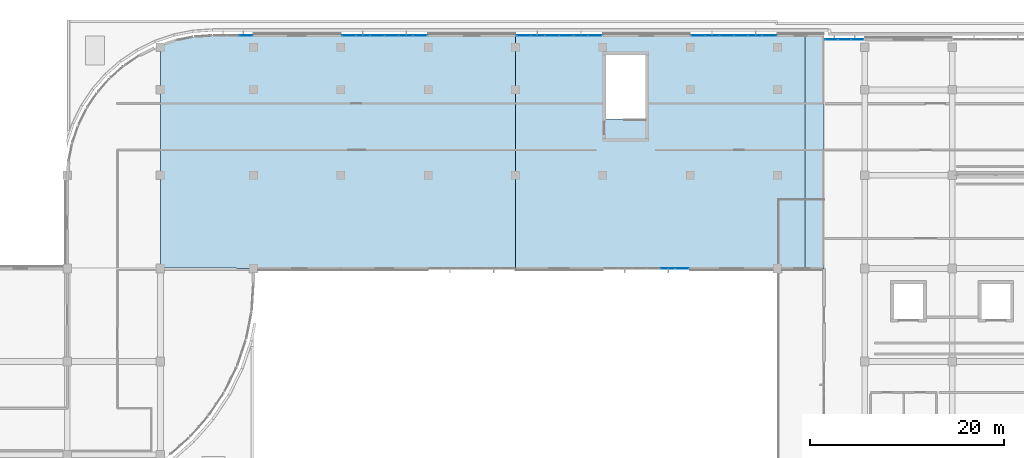
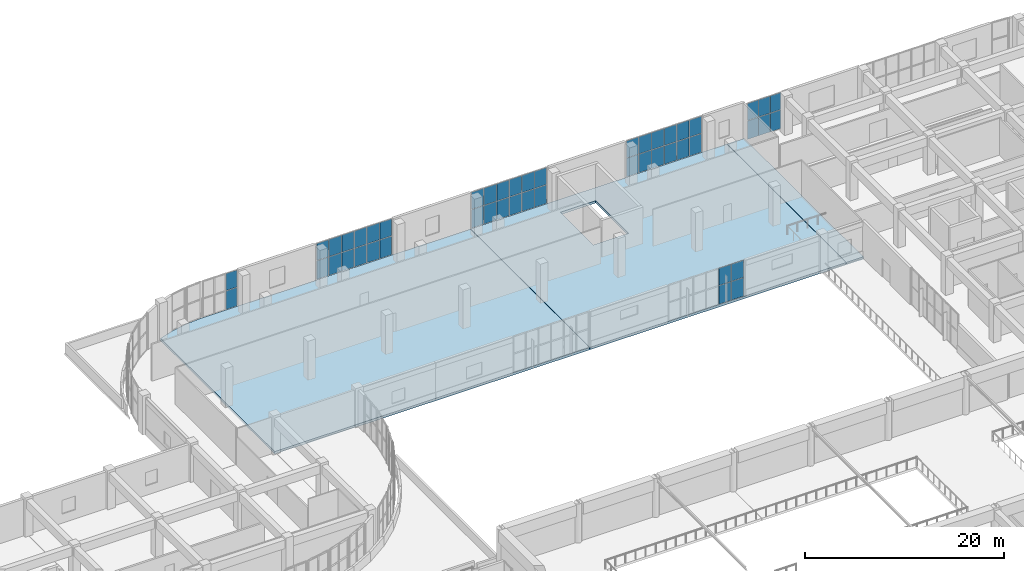
# One storey, part 54 of 96: 48 plates, 3 slabs, 6 elements without a shape of their own.
"""IFC4 building model written with IfcOpenShell, lengths in metres."""

from ifc_helpers import new_model, si_unit, direction, frame, origin, origin_2d, place, context, subcontext, project, spatial, polyline, rectangle, outline, extrude, material, layer, layer_set, type_object, element, aggregate, save


model = new_model("IFC4")

# Units and contexts
model_context = context("Model", 3, precision=1e-05, world=origin(), true_north=direction((0.0, 1.0)))
body_context = subcontext(model_context, "Body", "Model", "MODEL_VIEW")
ifc_project = project(units=[si_unit("LENGTHUNIT", "METRE"), si_unit("AREAUNIT", "SQUARE_METRE"), si_unit("VOLUMEUNIT", "CUBIC_METRE"), si_unit("PLANEANGLEUNIT", "RADIAN"), si_unit("MASSUNIT", "GRAM", prefix="KILO")], contexts=[model_context])

# Site, building, storey
site_placement = place(None, origin())
site = spatial("IfcSite", under=ifc_project, at=site_placement, CompositionType="ELEMENT")
building_placement = place(site_placement, origin())
building = spatial("IfcBuilding", under=site, at=building_placement, Name="Cendralis Terraced Arcade", CompositionType="ELEMENT")
storey_placement = place(building_placement, frame((0.0, 0.0, 10.199951171875)))
storey = spatial("IfcBuildingStorey", under=building, at=storey_placement, Name="L02", CompositionType="ELEMENT", Elevation=10.199951171875)

# Curtain wall, plates
ifc_material_1 = material(Name="Anodised aluminium EN AW-6063 T6", Category="aluminium")
ifc_layer_1 = layer(ifc_material_1, 0.1201171875, Name="CW-STORE-B")
ifc_layer_set_1 = layer_set([ifc_layer_1], Name="Anodised aluminium EN AW-6063 T6")
curtain_wall_type = type_object("IfcCurtainWallType", Name="CW-STORE-B", PredefinedType="USERDEFINED", material=ifc_layer_set_1)
curtain_wall_1_placement = place(storey_placement, origin())
curtain_wall_1 = element("IfcCurtainWall", 1, at=curtain_wall_1_placement, inside=storey, type_object=curtain_wall_type, Name="Exterior Storefront Glazing CW-L02-0114", ObjectType="STOREFRONT GLAZING", PredefinedType="USERDEFINED")
ifc_material_2 = material(Name="Tempered solar control laminated glass", Category="glass")
ifc_layer_2 = layer(ifc_material_2, 0.02392578125, Name="CW-STORE-B-PNL")
ifc_layer_set_2 = layer_set([ifc_layer_2], Name="Tempered solar control laminated glass")
plate_type = type_object("IfcPlateType", Name="CW-STORE-B-PNL", PredefinedType="CURTAIN_PANEL", material=ifc_layer_set_2)
plate_1_placement = place(storey_placement, frame((111.361328125, 88.800048828125, 0.05517578125), z_axis=(0.0, 0.0, 1.0), x_axis=(-1.0, 0.0, 0.0)))
plate_1 = element("IfcPlate", 2, at=plate_1_placement, type_object=plate_type, Name="CW-S2 panel 1.1", PredefinedType="CURTAIN_PANEL", context=body_context, shape_type="SweptSolid", body=[
    extrude(rectangle(XDim=1.387451171875, YDim=0.02392578125, at=origin_2d()), origin(), (0.0, 0.0, 1.0), 2.265380859375),
])
plate_2_placement = place(storey_placement, frame((111.361328125, 88.800048828125, 2.37548828125), z_axis=(0.0, 0.0, 1.0), x_axis=(-1.0, 0.0, 0.0)))
plate_2 = element("IfcPlate", 3, at=plate_2_placement, type_object=plate_type, Name="CW-S2 panel 1.2", PredefinedType="CURTAIN_PANEL", context=body_context, shape_type="SweptSolid", body=[
    extrude(rectangle(XDim=1.387451171875, YDim=0.02392578125, at=origin_2d()), origin(), (0.0, 0.0, 1.0), 2.084716796875),
])
plate_3_placement = place(storey_placement, frame((109.905029296875, 88.800048828125, 0.05517578125), z_axis=(0.0, 0.0, 1.0), x_axis=(-1.0, 0.0, 0.0)))
plate_3 = element("IfcPlate", 4, at=plate_3_placement, type_object=plate_type, Name="CW-S2 panel 2.1", PredefinedType="CURTAIN_PANEL", context=body_context, shape_type="SweptSolid", body=[
    extrude(rectangle(XDim=1.4150390625, YDim=0.02392578125, at=origin_2d()), origin(), (0.0, 0.0, 1.0), 2.265380859375),
])
plate_4_placement = place(storey_placement, frame((109.905029296875, 88.800048828125, 2.37548828125), z_axis=(0.0, 0.0, 1.0), x_axis=(-1.0, 0.0, 0.0)))
plate_4 = element("IfcPlate", 5, at=plate_4_placement, type_object=plate_type, Name="CW-S2 panel 2.2", PredefinedType="CURTAIN_PANEL", context=body_context, shape_type="SweptSolid", body=[
    extrude(rectangle(XDim=1.4150390625, YDim=0.02392578125, at=origin_2d()), origin(), (0.0, 0.0, 1.0), 2.084716796875),
])
aggregate(curtain_wall_1, [plate_1, plate_2, plate_3, plate_4])

curtain_wall_2_placement = place(storey_placement, origin())
curtain_wall_2 = element("IfcCurtainWall", 6, at=curtain_wall_2_placement, inside=storey, type_object=curtain_wall_type, Name="Exterior Storefront Glazing CW-L02-0152", ObjectType="STOREFRONT GLAZING", PredefinedType="USERDEFINED")
plate_5_placement = place(storey_placement, frame((66.42626953125, 112.800048828125, 0.05517578125), z_axis=(0.0, 0.0, 1.0), x_axis=(1.0, 0.0, 0.0)))
plate_5 = element("IfcPlate", 7, at=plate_5_placement, type_object=plate_type, Name="CW-S2 panel 3.1", PredefinedType="CURTAIN_PANEL", context=body_context, shape_type="SweptSolid", body=[
    extrude(rectangle(XDim=1.257568359375, YDim=0.02392578125, at=origin_2d()), origin(), (0.0, 0.0, 1.0), 2.265380859375),
])
plate_6_placement = place(storey_placement, frame((66.42626953125, 112.800048828125, 2.37548828125), z_axis=(0.0, 0.0, 1.0), x_axis=(1.0, 0.0, 0.0)))
plate_6 = element("IfcPlate", 8, at=plate_6_placement, type_object=plate_type, Name="CW-S2 panel 3.2", PredefinedType="CURTAIN_PANEL", context=body_context, shape_type="SweptSolid", body=[
    extrude(rectangle(XDim=1.257568359375, YDim=0.02392578125, at=origin_2d()), origin(), (0.0, 0.0, 1.0), 2.084716796875),
])
aggregate(curtain_wall_2, [plate_5, plate_6])

curtain_wall_3_placement = place(storey_placement, origin())
curtain_wall_3 = element("IfcCurtainWall", 9, at=curtain_wall_3_placement, inside=storey, type_object=curtain_wall_type, Name="Exterior Storefront Glazing CW-L02-0153", ObjectType="STOREFRONT GLAZING", PredefinedType="USERDEFINED")
plate_7_placement = place(storey_placement, frame((77.038818359375, 112.800048828125, 0.05517578125), z_axis=(0.0, 0.0, 1.0), x_axis=(1.0, 0.0, 0.0)))
plate_7 = element("IfcPlate", 10, at=plate_7_placement, type_object=plate_type, Name="CW-S2 panel 1.1", PredefinedType="CURTAIN_PANEL", context=body_context, shape_type="SweptSolid", body=[
    extrude(rectangle(XDim=1.387451171875, YDim=0.02392578125, at=origin_2d()), origin(), (0.0, 0.0, 1.0), 2.265380859375),
])
plate_8_placement = place(storey_placement, frame((77.038818359375, 112.800048828125, 2.37548828125), z_axis=(0.0, 0.0, 1.0), x_axis=(1.0, 0.0, 0.0)))
plate_8 = element("IfcPlate", 11, at=plate_8_placement, type_object=plate_type, Name="CW-S2 panel 1.2", PredefinedType="CURTAIN_PANEL", context=body_context, shape_type="SweptSolid", body=[
    extrude(rectangle(XDim=1.387451171875, YDim=0.02392578125, at=origin_2d()), origin(), (0.0, 0.0, 1.0), 2.084716796875),
])
plate_9_placement = place(storey_placement, frame((78.4951171875, 112.800048828125, 0.05517578125), z_axis=(0.0, 0.0, 1.0), x_axis=(1.0, 0.0, 0.0)))
plate_9 = element("IfcPlate", 12, at=plate_9_placement, type_object=plate_type, Name="CW-S2 panel 2.1", PredefinedType="CURTAIN_PANEL", context=body_context, shape_type="SweptSolid", body=[
    extrude(rectangle(XDim=1.4150390625, YDim=0.02392578125, at=origin_2d()), origin(), (0.0, 0.0, 1.0), 2.265380859375),
])
plate_10_placement = place(storey_placement, frame((78.4951171875, 112.800048828125, 2.37548828125), z_axis=(0.0, 0.0, 1.0), x_axis=(1.0, 0.0, 0.0)))
plate_10 = element("IfcPlate", 13, at=plate_10_placement, type_object=plate_type, Name="CW-S2 panel 2.2", PredefinedType="CURTAIN_PANEL", context=body_context, shape_type="SweptSolid", body=[
    extrude(rectangle(XDim=1.4150390625, YDim=0.02392578125, at=origin_2d()), origin(), (0.0, 0.0, 1.0), 2.084716796875),
])
plate_11_placement = place(storey_placement, frame((79.965087890625, 112.800048828125, 0.05517578125), z_axis=(0.0, 0.0, 1.0), x_axis=(1.0, 0.0, 0.0)))
plate_11 = element("IfcPlate", 14, at=plate_11_placement, type_object=plate_type, Name="CW-S2 panel 3.1", PredefinedType="CURTAIN_PANEL", context=body_context, shape_type="SweptSolid", body=[
    extrude(rectangle(XDim=1.4150390625, YDim=0.02392578125, at=origin_2d()), origin(), (0.0, 0.0, 1.0), 2.265380859375),
])
plate_12_placement = place(storey_placement, frame((79.965087890625, 112.800048828125, 2.37548828125), z_axis=(0.0, 0.0, 1.0), x_axis=(1.0, 0.0, 0.0)))
plate_12 = element("IfcPlate", 15, at=plate_12_placement, type_object=plate_type, Name="CW-S2 panel 3.2", PredefinedType="CURTAIN_PANEL", context=body_context, shape_type="SweptSolid", body=[
    extrude(rectangle(XDim=1.4150390625, YDim=0.02392578125, at=origin_2d()), origin(), (0.0, 0.0, 1.0), 2.084716796875),
])
plate_13_placement = place(storey_placement, frame((81.43505859375, 112.800048828125, 0.05517578125), z_axis=(0.0, 0.0, 1.0), x_axis=(1.0, 0.0, 0.0)))
plate_13 = element("IfcPlate", 16, at=plate_13_placement, type_object=plate_type, Name="CW-S2 panel 4.1", PredefinedType="CURTAIN_PANEL", context=body_context, shape_type="SweptSolid", body=[
    extrude(rectangle(XDim=1.4150390625, YDim=0.02392578125, at=origin_2d()), origin(), (0.0, 0.0, 1.0), 2.265380859375),
])
plate_14_placement = place(storey_placement, frame((81.43505859375, 112.800048828125, 2.37548828125), z_axis=(0.0, 0.0, 1.0), x_axis=(1.0, 0.0, 0.0)))
plate_14 = element("IfcPlate", 17, at=plate_14_placement, type_object=plate_type, Name="CW-S2 panel 4.2", PredefinedType="CURTAIN_PANEL", context=body_context, shape_type="SweptSolid", body=[
    extrude(rectangle(XDim=1.4150390625, YDim=0.02392578125, at=origin_2d()), origin(), (0.0, 0.0, 1.0), 2.084716796875),
])
plate_15_placement = place(storey_placement, frame((82.905029296875, 112.800048828125, 0.05517578125), z_axis=(0.0, 0.0, 1.0), x_axis=(1.0, 0.0, 0.0)))
plate_15 = element("IfcPlate", 18, at=plate_15_placement, type_object=plate_type, Name="CW-S2 panel 5.1", PredefinedType="CURTAIN_PANEL", context=body_context, shape_type="SweptSolid", body=[
    extrude(rectangle(XDim=1.4150390625, YDim=0.02392578125, at=origin_2d()), origin(), (0.0, 0.0, 1.0), 2.265380859375),
])
plate_16_placement = place(storey_placement, frame((82.905029296875, 112.800048828125, 2.37548828125), z_axis=(0.0, 0.0, 1.0), x_axis=(1.0, 0.0, 0.0)))
plate_16 = element("IfcPlate", 19, at=plate_16_placement, type_object=plate_type, Name="CW-S2 panel 5.2", PredefinedType="CURTAIN_PANEL", context=body_context, shape_type="SweptSolid", body=[
    extrude(rectangle(XDim=1.4150390625, YDim=0.02392578125, at=origin_2d()), origin(), (0.0, 0.0, 1.0), 2.084716796875),
])
plate_17_placement = place(storey_placement, frame((84.361328125, 112.800048828125, 0.05517578125), z_axis=(0.0, 0.0, 1.0), x_axis=(1.0, 0.0, 0.0)))
plate_17 = element("IfcPlate", 20, at=plate_17_placement, type_object=plate_type, Name="CW-S2 panel 6.1", PredefinedType="CURTAIN_PANEL", context=body_context, shape_type="SweptSolid", body=[
    extrude(rectangle(XDim=1.387451171875, YDim=0.02392578125, at=origin_2d()), origin(), (0.0, 0.0, 1.0), 2.265380859375),
])
plate_18_placement = place(storey_placement, frame((84.361328125, 112.800048828125, 2.37548828125), z_axis=(0.0, 0.0, 1.0), x_axis=(1.0, 0.0, 0.0)))
plate_18 = element("IfcPlate", 21, at=plate_18_placement, type_object=plate_type, Name="CW-S2 panel 6.2", PredefinedType="CURTAIN_PANEL", context=body_context, shape_type="SweptSolid", body=[
    extrude(rectangle(XDim=1.387451171875, YDim=0.02392578125, at=origin_2d()), origin(), (0.0, 0.0, 1.0), 2.084716796875),
])
aggregate(curtain_wall_3, [plate_7, plate_8, plate_9, plate_10, plate_11, plate_12, plate_13, plate_14, plate_15, plate_16, plate_17, plate_18])

curtain_wall_4_placement = place(storey_placement, origin())
curtain_wall_4 = element("IfcCurtainWall", 22, at=curtain_wall_4_placement, inside=storey, type_object=curtain_wall_type, Name="Exterior Storefront Glazing CW-L02-0154", ObjectType="STOREFRONT GLAZING", PredefinedType="USERDEFINED")
plate_19_placement = place(storey_placement, frame((95.038818359375, 112.800048828125, 0.05517578125), z_axis=(0.0, 0.0, 1.0), x_axis=(1.0, 0.0, 0.0)))
plate_19 = element("IfcPlate", 23, at=plate_19_placement, type_object=plate_type, Name="CW-S2 panel 1.1", PredefinedType="CURTAIN_PANEL", context=body_context, shape_type="SweptSolid", body=[
    extrude(rectangle(XDim=1.387451171875, YDim=0.02392578125, at=origin_2d()), origin(), (0.0, 0.0, 1.0), 2.265380859375),
])
plate_20_placement = place(storey_placement, frame((95.038818359375, 112.800048828125, 2.37548828125), z_axis=(0.0, 0.0, 1.0), x_axis=(1.0, 0.0, 0.0)))
plate_20 = element("IfcPlate", 24, at=plate_20_placement, type_object=plate_type, Name="CW-S2 panel 1.2", PredefinedType="CURTAIN_PANEL", context=body_context, shape_type="SweptSolid", body=[
    extrude(rectangle(XDim=1.387451171875, YDim=0.02392578125, at=origin_2d()), origin(), (0.0, 0.0, 1.0), 2.084716796875),
])
plate_21_placement = place(storey_placement, frame((96.4951171875, 112.800048828125, 0.05517578125), z_axis=(0.0, 0.0, 1.0), x_axis=(1.0, 0.0, 0.0)))
plate_21 = element("IfcPlate", 25, at=plate_21_placement, type_object=plate_type, Name="CW-S2 panel 2.1", PredefinedType="CURTAIN_PANEL", context=body_context, shape_type="SweptSolid", body=[
    extrude(rectangle(XDim=1.4150390625, YDim=0.02392578125, at=origin_2d()), origin(), (0.0, 0.0, 1.0), 2.265380859375),
])
plate_22_placement = place(storey_placement, frame((96.4951171875, 112.800048828125, 2.37548828125), z_axis=(0.0, 0.0, 1.0), x_axis=(1.0, 0.0, 0.0)))
plate_22 = element("IfcPlate", 26, at=plate_22_placement, type_object=plate_type, Name="CW-S2 panel 2.2", PredefinedType="CURTAIN_PANEL", context=body_context, shape_type="SweptSolid", body=[
    extrude(rectangle(XDim=1.4150390625, YDim=0.02392578125, at=origin_2d()), origin(), (0.0, 0.0, 1.0), 2.084716796875),
])
plate_23_placement = place(storey_placement, frame((97.965087890625, 112.800048828125, 0.05517578125), z_axis=(0.0, 0.0, 1.0), x_axis=(1.0, 0.0, 0.0)))
plate_23 = element("IfcPlate", 27, at=plate_23_placement, type_object=plate_type, Name="CW-S2 panel 3.1", PredefinedType="CURTAIN_PANEL", context=body_context, shape_type="SweptSolid", body=[
    extrude(rectangle(XDim=1.4150390625, YDim=0.02392578125, at=origin_2d()), origin(), (0.0, 0.0, 1.0), 2.265380859375),
])
plate_24_placement = place(storey_placement, frame((97.965087890625, 112.800048828125, 2.37548828125), z_axis=(0.0, 0.0, 1.0), x_axis=(1.0, 0.0, 0.0)))
plate_24 = element("IfcPlate", 28, at=plate_24_placement, type_object=plate_type, Name="CW-S2 panel 3.2", PredefinedType="CURTAIN_PANEL", context=body_context, shape_type="SweptSolid", body=[
    extrude(rectangle(XDim=1.4150390625, YDim=0.02392578125, at=origin_2d()), origin(), (0.0, 0.0, 1.0), 2.084716796875),
])
plate_25_placement = place(storey_placement, frame((99.43505859375, 112.800048828125, 0.05517578125), z_axis=(0.0, 0.0, 1.0), x_axis=(1.0, 0.0, 0.0)))
plate_25 = element("IfcPlate", 29, at=plate_25_placement, type_object=plate_type, Name="CW-S2 panel 4.1", PredefinedType="CURTAIN_PANEL", context=body_context, shape_type="SweptSolid", body=[
    extrude(rectangle(XDim=1.4150390625, YDim=0.02392578125, at=origin_2d()), origin(), (0.0, 0.0, 1.0), 2.265380859375),
])
plate_26_placement = place(storey_placement, frame((99.43505859375, 112.800048828125, 2.37548828125), z_axis=(0.0, 0.0, 1.0), x_axis=(1.0, 0.0, 0.0)))
plate_26 = element("IfcPlate", 30, at=plate_26_placement, type_object=plate_type, Name="CW-S2 panel 4.2", PredefinedType="CURTAIN_PANEL", context=body_context, shape_type="SweptSolid", body=[
    extrude(rectangle(XDim=1.4150390625, YDim=0.02392578125, at=origin_2d()), origin(), (0.0, 0.0, 1.0), 2.084716796875),
])
plate_27_placement = place(storey_placement, frame((100.905029296875, 112.800048828125, 0.05517578125), z_axis=(0.0, 0.0, 1.0), x_axis=(1.0, 0.0, 0.0)))
plate_27 = element("IfcPlate", 31, at=plate_27_placement, type_object=plate_type, Name="CW-S2 panel 5.1", PredefinedType="CURTAIN_PANEL", context=body_context, shape_type="SweptSolid", body=[
    extrude(rectangle(XDim=1.4150390625, YDim=0.02392578125, at=origin_2d()), origin(), (0.0, 0.0, 1.0), 2.265380859375),
])
plate_28_placement = place(storey_placement, frame((100.905029296875, 112.800048828125, 2.37548828125), z_axis=(0.0, 0.0, 1.0), x_axis=(1.0, 0.0, 0.0)))
plate_28 = element("IfcPlate", 32, at=plate_28_placement, type_object=plate_type, Name="CW-S2 panel 5.2", PredefinedType="CURTAIN_PANEL", context=body_context, shape_type="SweptSolid", body=[
    extrude(rectangle(XDim=1.4150390625, YDim=0.02392578125, at=origin_2d()), origin(), (0.0, 0.0, 1.0), 2.084716796875),
])
plate_29_placement = place(storey_placement, frame((102.361328125, 112.800048828125, 0.05517578125), z_axis=(0.0, 0.0, 1.0), x_axis=(1.0, 0.0, 0.0)))
plate_29 = element("IfcPlate", 33, at=plate_29_placement, type_object=plate_type, Name="CW-S2 panel 6.1", PredefinedType="CURTAIN_PANEL", context=body_context, shape_type="SweptSolid", body=[
    extrude(rectangle(XDim=1.387451171875, YDim=0.02392578125, at=origin_2d()), origin(), (0.0, 0.0, 1.0), 2.265380859375),
])
plate_30_placement = place(storey_placement, frame((102.361328125, 112.800048828125, 2.37548828125), z_axis=(0.0, 0.0, 1.0), x_axis=(1.0, 0.0, 0.0)))
plate_30 = element("IfcPlate", 34, at=plate_30_placement, type_object=plate_type, Name="CW-S2 panel 6.2", PredefinedType="CURTAIN_PANEL", context=body_context, shape_type="SweptSolid", body=[
    extrude(rectangle(XDim=1.387451171875, YDim=0.02392578125, at=origin_2d()), origin(), (0.0, 0.0, 1.0), 2.084716796875),
])
aggregate(curtain_wall_4, [plate_19, plate_20, plate_21, plate_22, plate_23, plate_24, plate_25, plate_26, plate_27, plate_28, plate_29, plate_30])

curtain_wall_5_placement = place(storey_placement, origin())
curtain_wall_5 = element("IfcCurtainWall", 35, at=curtain_wall_5_placement, inside=storey, type_object=curtain_wall_type, Name="Exterior Storefront Glazing CW-L02-0155", ObjectType="STOREFRONT GLAZING", PredefinedType="USERDEFINED")
plate_31_placement = place(storey_placement, frame((113.038818359375, 112.800048828125, 0.05517578125), z_axis=(0.0, 0.0, 1.0), x_axis=(1.0, 0.0, 0.0)))
plate_31 = element("IfcPlate", 36, at=plate_31_placement, type_object=plate_type, Name="CW-S2 panel 1.1", PredefinedType="CURTAIN_PANEL", context=body_context, shape_type="SweptSolid", body=[
    extrude(rectangle(XDim=1.387451171875, YDim=0.02392578125, at=origin_2d()), origin(), (0.0, 0.0, 1.0), 2.265380859375),
])
plate_32_placement = place(storey_placement, frame((113.038818359375, 112.800048828125, 2.37548828125), z_axis=(0.0, 0.0, 1.0), x_axis=(1.0, 0.0, 0.0)))
plate_32 = element("IfcPlate", 37, at=plate_32_placement, type_object=plate_type, Name="CW-S2 panel 1.2", PredefinedType="CURTAIN_PANEL", context=body_context, shape_type="SweptSolid", body=[
    extrude(rectangle(XDim=1.387451171875, YDim=0.02392578125, at=origin_2d()), origin(), (0.0, 0.0, 1.0), 2.084716796875),
])
plate_33_placement = place(storey_placement, frame((114.4951171875, 112.800048828125, 0.05517578125), z_axis=(0.0, 0.0, 1.0), x_axis=(1.0, 0.0, 0.0)))
plate_33 = element("IfcPlate", 38, at=plate_33_placement, type_object=plate_type, Name="CW-S2 panel 2.1", PredefinedType="CURTAIN_PANEL", context=body_context, shape_type="SweptSolid", body=[
    extrude(rectangle(XDim=1.4150390625, YDim=0.02392578125, at=origin_2d()), origin(), (0.0, 0.0, 1.0), 2.265380859375),
])
plate_34_placement = place(storey_placement, frame((114.4951171875, 112.800048828125, 2.37548828125), z_axis=(0.0, 0.0, 1.0), x_axis=(1.0, 0.0, 0.0)))
plate_34 = element("IfcPlate", 39, at=plate_34_placement, type_object=plate_type, Name="CW-S2 panel 2.2", PredefinedType="CURTAIN_PANEL", context=body_context, shape_type="SweptSolid", body=[
    extrude(rectangle(XDim=1.4150390625, YDim=0.02392578125, at=origin_2d()), origin(), (0.0, 0.0, 1.0), 2.084716796875),
])
plate_35_placement = place(storey_placement, frame((115.965087890625, 112.800048828125, 0.05517578125), z_axis=(0.0, 0.0, 1.0), x_axis=(1.0, 0.0, 0.0)))
plate_35 = element("IfcPlate", 40, at=plate_35_placement, type_object=plate_type, Name="CW-S2 panel 3.1", PredefinedType="CURTAIN_PANEL", context=body_context, shape_type="SweptSolid", body=[
    extrude(rectangle(XDim=1.4150390625, YDim=0.02392578125, at=origin_2d()), origin(), (0.0, 0.0, 1.0), 2.265380859375),
])
plate_36_placement = place(storey_placement, frame((115.965087890625, 112.800048828125, 2.37548828125), z_axis=(0.0, 0.0, 1.0), x_axis=(1.0, 0.0, 0.0)))
plate_36 = element("IfcPlate", 41, at=plate_36_placement, type_object=plate_type, Name="CW-S2 panel 3.2", PredefinedType="CURTAIN_PANEL", context=body_context, shape_type="SweptSolid", body=[
    extrude(rectangle(XDim=1.4150390625, YDim=0.02392578125, at=origin_2d()), origin(), (0.0, 0.0, 1.0), 2.084716796875),
])
plate_37_placement = place(storey_placement, frame((117.43505859375, 112.800048828125, 0.05517578125), z_axis=(0.0, 0.0, 1.0), x_axis=(1.0, 0.0, 0.0)))
plate_37 = element("IfcPlate", 42, at=plate_37_placement, type_object=plate_type, Name="CW-S2 panel 4.1", PredefinedType="CURTAIN_PANEL", context=body_context, shape_type="SweptSolid", body=[
    extrude(rectangle(XDim=1.4150390625, YDim=0.02392578125, at=origin_2d()), origin(), (0.0, 0.0, 1.0), 2.265380859375),
])
plate_38_placement = place(storey_placement, frame((117.43505859375, 112.800048828125, 2.37548828125), z_axis=(0.0, 0.0, 1.0), x_axis=(1.0, 0.0, 0.0)))
plate_38 = element("IfcPlate", 43, at=plate_38_placement, type_object=plate_type, Name="CW-S2 panel 4.2", PredefinedType="CURTAIN_PANEL", context=body_context, shape_type="SweptSolid", body=[
    extrude(rectangle(XDim=1.4150390625, YDim=0.02392578125, at=origin_2d()), origin(), (0.0, 0.0, 1.0), 2.084716796875),
])
plate_39_placement = place(storey_placement, frame((118.905029296875, 112.800048828125, 0.05517578125), z_axis=(0.0, 0.0, 1.0), x_axis=(1.0, 0.0, 0.0)))
plate_39 = element("IfcPlate", 44, at=plate_39_placement, type_object=plate_type, Name="CW-S2 panel 5.1", PredefinedType="CURTAIN_PANEL", context=body_context, shape_type="SweptSolid", body=[
    extrude(rectangle(XDim=1.4150390625, YDim=0.02392578125, at=origin_2d()), origin(), (0.0, 0.0, 1.0), 2.265380859375),
])
plate_40_placement = place(storey_placement, frame((118.905029296875, 112.800048828125, 2.37548828125), z_axis=(0.0, 0.0, 1.0), x_axis=(1.0, 0.0, 0.0)))
plate_40 = element("IfcPlate", 45, at=plate_40_placement, type_object=plate_type, Name="CW-S2 panel 5.2", PredefinedType="CURTAIN_PANEL", context=body_context, shape_type="SweptSolid", body=[
    extrude(rectangle(XDim=1.4150390625, YDim=0.02392578125, at=origin_2d()), origin(), (0.0, 0.0, 1.0), 2.084716796875),
])
plate_41_placement = place(storey_placement, frame((120.361328125, 112.800048828125, 0.05517578125), z_axis=(0.0, 0.0, 1.0), x_axis=(1.0, 0.0, 0.0)))
plate_41 = element("IfcPlate", 46, at=plate_41_placement, type_object=plate_type, Name="CW-S2 panel 6.1", PredefinedType="CURTAIN_PANEL", context=body_context, shape_type="SweptSolid", body=[
    extrude(rectangle(XDim=1.387451171875, YDim=0.02392578125, at=origin_2d()), origin(), (0.0, 0.0, 1.0), 2.265380859375),
])
plate_42_placement = place(storey_placement, frame((120.361328125, 112.800048828125, 2.37548828125), z_axis=(0.0, 0.0, 1.0), x_axis=(1.0, 0.0, 0.0)))
plate_42 = element("IfcPlate", 47, at=plate_42_placement, type_object=plate_type, Name="CW-S2 panel 6.2", PredefinedType="CURTAIN_PANEL", context=body_context, shape_type="SweptSolid", body=[
    extrude(rectangle(XDim=1.387451171875, YDim=0.02392578125, at=origin_2d()), origin(), (0.0, 0.0, 1.0), 2.084716796875),
])
aggregate(curtain_wall_5, [plate_31, plate_32, plate_33, plate_34, plate_35, plate_36, plate_37, plate_38, plate_39, plate_40, plate_41, plate_42])

curtain_wall_6_placement = place(storey_placement, origin())
curtain_wall_6 = element("IfcCurtainWall", 48, at=curtain_wall_6_placement, inside=storey, type_object=curtain_wall_type, Name="Exterior Storefront Glazing CW-L02-0156", ObjectType="STOREFRONT GLAZING", PredefinedType="USERDEFINED")
plate_43_placement = place(storey_placement, frame((126.773681640625, 112.39990234375, 0.05517578125), z_axis=(0.0, 0.0, 1.0), x_axis=(1.0, 0.0, 0.0)))
plate_43 = element("IfcPlate", 49, at=plate_43_placement, type_object=plate_type, Name="CW-S2 panel 1.1", PredefinedType="CURTAIN_PANEL", context=body_context, shape_type="SweptSolid", body=[
    extrude(rectangle(XDim=1.257568359375, YDim=0.02392578125, at=origin_2d()), origin(), (0.0, 0.0, 1.0), 2.265380859375),
])
plate_44_placement = place(storey_placement, frame((126.773681640625, 112.39990234375, 2.37548828125), z_axis=(0.0, 0.0, 1.0), x_axis=(1.0, 0.0, 0.0)))
plate_44 = element("IfcPlate", 50, at=plate_44_placement, type_object=plate_type, Name="CW-S2 panel 1.2", PredefinedType="CURTAIN_PANEL", context=body_context, shape_type="SweptSolid", body=[
    extrude(rectangle(XDim=1.257568359375, YDim=0.02392578125, at=origin_2d()), origin(), (0.0, 0.0, 1.0), 2.084716796875),
])
plate_45_placement = place(storey_placement, frame((128.10009765625, 112.39990234375, 0.05517578125), z_axis=(0.0, 0.0, 1.0), x_axis=(1.0, 0.0, 0.0)))
plate_45 = element("IfcPlate", 51, at=plate_45_placement, type_object=plate_type, Name="CW-S2 panel 2.1", PredefinedType="CURTAIN_PANEL", context=body_context, shape_type="SweptSolid", body=[
    extrude(rectangle(XDim=1.284912109375, YDim=0.02392578125, at=origin_2d()), origin(), (0.0, 0.0, 1.0), 2.265380859375),
])
plate_46_placement = place(storey_placement, frame((128.10009765625, 112.39990234375, 2.37548828125), z_axis=(0.0, 0.0, 1.0), x_axis=(1.0, 0.0, 0.0)))
plate_46 = element("IfcPlate", 52, at=plate_46_placement, type_object=plate_type, Name="CW-S2 panel 2.2", PredefinedType="CURTAIN_PANEL", context=body_context, shape_type="SweptSolid", body=[
    extrude(rectangle(XDim=1.284912109375, YDim=0.02392578125, at=origin_2d()), origin(), (0.0, 0.0, 1.0), 2.084716796875),
])
plate_47_placement = place(storey_placement, frame((129.42626953125, 112.39990234375, 0.05517578125), z_axis=(0.0, 0.0, 1.0), x_axis=(1.0, 0.0, 0.0)))
plate_47 = element("IfcPlate", 53, at=plate_47_placement, type_object=plate_type, Name="CW-S2 panel 3.1", PredefinedType="CURTAIN_PANEL", context=body_context, shape_type="SweptSolid", body=[
    extrude(rectangle(XDim=1.257568359375, YDim=0.02392578125, at=origin_2d()), origin(), (0.0, 0.0, 1.0), 2.265380859375),
])
plate_48_placement = place(storey_placement, frame((129.42626953125, 112.39990234375, 2.37548828125), z_axis=(0.0, 0.0, 1.0), x_axis=(1.0, 0.0, 0.0)))
plate_48 = element("IfcPlate", 54, at=plate_48_placement, type_object=plate_type, Name="CW-S2 panel 3.2", PredefinedType="CURTAIN_PANEL", context=body_context, shape_type="SweptSolid", body=[
    extrude(rectangle(XDim=1.257568359375, YDim=0.02392578125, at=origin_2d()), origin(), (0.0, 0.0, 1.0), 2.084716796875),
])
aggregate(curtain_wall_6, [plate_43, plate_44, plate_45, plate_46, plate_47, plate_48])

# Slabs
ifc_material_3 = material(Name="Concrete f'c 35 MPa", Category="concrete")
ifc_layer_3 = layer(ifc_material_3, 0.294921875, Name="SLB-L02-295")
ifc_layer_set_3 = layer_set([ifc_layer_3], Name="Concrete f'c 35 MPa")
slab_type = type_object("IfcSlabType", Name="SLB-L02-295", PredefinedType="FLOOR", material=ifc_layer_set_3)
slab_1_placement = place(storey_placement, frame((0.0, 0.0, -0.294921875)))
element("IfcSlab", 55, at=slab_1_placement, inside=storey, type_object=slab_type, Name="Reinforced Concrete Floor Slab SLB-L02-V3N-C1-1", PredefinedType="FLOOR", context=body_context, shape_type="SweptSolid", body=[
    extrude(outline(polyline([(63.0, 112.800048828125), (94.199951171875, 112.800048828125), (94.199951171875, 88.800048828125), (57.6201171875, 88.820068359375), (57.6201171875, 111.780517578125), (59.11767578125, 112.288818359375), (61.0419921875, 112.671630859375), (63.0, 112.800048828125)])), origin(), (0.0, 0.0, 1.0), 0.294921875),
])
slab_2_placement = place(storey_placement, frame((0.0, 0.0, -0.294921875)))
element("IfcSlab", 56, at=slab_2_placement, inside=storey, type_object=slab_type, Name="Reinforced Concrete Floor Slab SLB-L02-V3N-C2-1", PredefinedType="FLOOR", context=body_context, shape_type="SweptSolid", body=[
    extrude(outline(polyline([(94.219970703125, 88.800048828125), (94.219970703125, 112.800048828125), (124.0, 112.800048828125), (124.0, 88.800048828125), (94.219970703125, 88.800048828125)]), holes=[polyline([(107.60009765625, 110.800048828125), (103.5, 110.800048828125), (103.5, 104.179931640625), (107.60009765625, 104.179931640625), (107.60009765625, 110.800048828125)])]), origin(), (0.0, 0.0, 1.0), 0.294921875),
])
slab_3_placement = place(storey_placement, frame((0.0, 0.0, -0.294921875)))
element("IfcSlab", 57, at=slab_3_placement, inside=storey, type_object=slab_type, Name="Reinforced Concrete Floor Slab SLB-L02-V3N-E1-1", PredefinedType="FLOOR", context=body_context, shape_type="SweptSolid", body=[
    extrude(outline(polyline([(124.02001953125, 88.800048828125), (124.02001953125, 112.800048828125), (126.0, 112.800048828125), (126.0, 88.800048828125), (124.02001953125, 88.800048828125)])), origin(), (0.0, 0.0, 1.0), 0.294921875),
])

save(model, "model.ifc")
